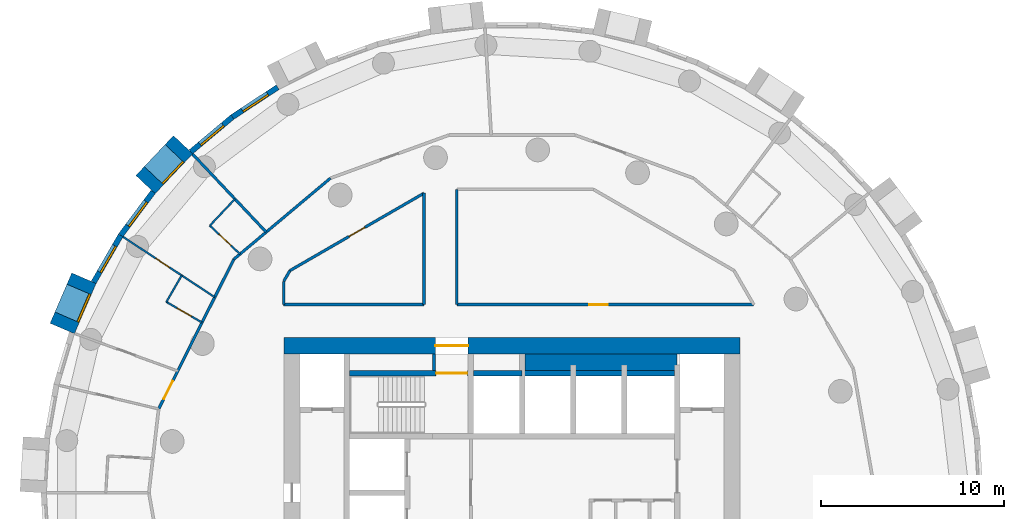
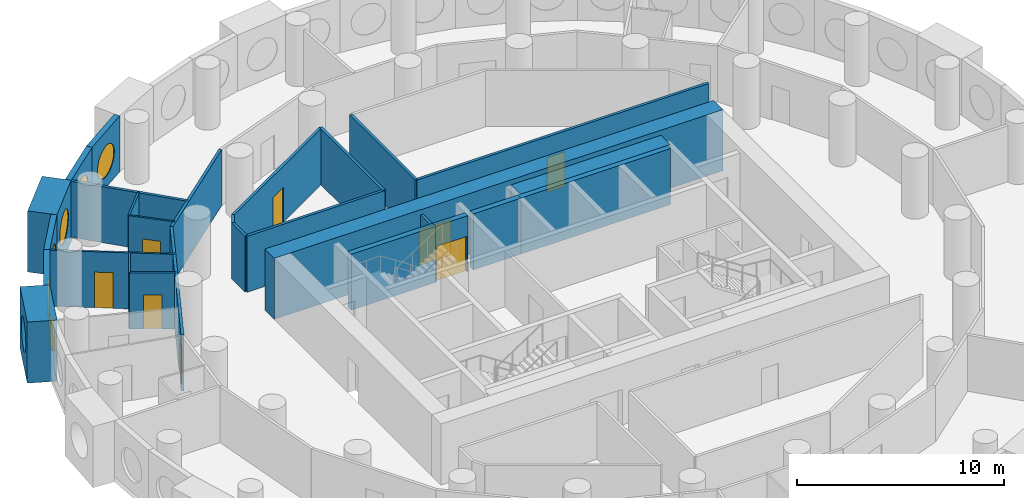
# One storey, part 6 of 9: 29 walls, 8 doors, 6 windows, 14 openings.
"""IFC4 building model written with IfcOpenShell, lengths in metres."""

from ifc_helpers import new_model, si_unit, direction, frame, frame_2d, origin, origin_2d, place, context, subcontext, project, spatial, rectangle, circle, extrude, material, layer, layer_set, type_object, element, fill, save


model = new_model("IFC4")

# Units and contexts
model_context = context("Model", 3, precision=1e-05, world=origin(), true_north=direction((0.0, 1.0)))
body_context = subcontext(model_context, "Body", "Model", "MODEL_VIEW")
ifc_project = project(units=[si_unit("LENGTHUNIT", "METRE"), si_unit("AREAUNIT", "SQUARE_METRE"), si_unit("VOLUMEUNIT", "CUBIC_METRE"), si_unit("PLANEANGLEUNIT", "RADIAN"), si_unit("MASSUNIT", "GRAM", prefix="KILO")], contexts=[model_context])

# Site, building, storey
site_placement = place(None, origin())
site = spatial("IfcSite", under=ifc_project, at=site_placement, CompositionType="ELEMENT")
building_placement = place(site_placement, origin())
building = spatial("IfcBuilding", under=site, at=building_placement, Name="Tracery Tower", CompositionType="ELEMENT")
storey_placement = place(building_placement, frame((0.0, 0.0, 183.60009765625)))
storey = spatial("IfcBuildingStorey", under=building, at=storey_placement, Name="L47", CompositionType="ELEMENT", Elevation=183.60009765625)

# Walls
ifc_material_1 = material(Name="Plasterboard on steel studs", Category="steel")
ifc_layer_1 = layer(ifc_material_1, 0.14990234375)
ifc_layer_set_1 = layer_set([ifc_layer_1], Name="Core room partition 150")
wall_type_1 = type_object("IfcWallType", Name="Core room partition 150", PredefinedType="SOLIDWALL", material=ifc_layer_set_1)
wall_1_placement = place(storey_placement, frame((-4.27490234375, 6.699951171875, 0.0), z_axis=(0.0, 0.0, 1.0), x_axis=(0.0, 1.0, 0.0)))
element("IfcWall", 1, at=wall_1_placement, inside=storey, type_object=wall_type_1, Name="L47 F N room", PredefinedType="SOLIDWALL", context=body_context, shape_type="SweptSolid", body=[
    extrude(rectangle(XDim=0.900146484375, YDim=0.14990234375, at=frame_2d((0.4501953125, 0.0))), origin(), (0.0, 0.0, 1.0), 3.2998046875),
])
ifc_material_2 = material(Name="Concrete C50/60", Category="concrete")
ifc_layer_2 = layer(ifc_material_2, 0.89990234375)
ifc_layer_set_2 = layer_set([ifc_layer_2], Name="Core strip wall 900 C50")
wall_type_2 = type_object("IfcWallType", Name="Core strip wall 900 C50", PredefinedType="SOLIDWALL", material=ifc_layer_set_2)
wall_2_placement = place(storey_placement, frame((0.699951171875, 7.14990234375, 0.0), z_axis=(0.0, 0.0, 1.0), x_axis=(1.0, 0.0, 0.0)))
element("IfcWall", 2, at=wall_2_placement, inside=storey, type_object=wall_type_2, Name="L47 F thick N E", PredefinedType="SOLIDWALL", context=body_context, shape_type="SweptSolid", body=[
    extrude(rectangle(XDim=8.35009765625, YDim=0.89990234375, at=frame_2d((4.175048828125, 0.0))), origin(), (0.0, 0.0, 1.0), 3.2998046875),
])

# Wall, opening, door
ifc_material_3 = material(Name="Concrete C50/60", Category="concrete")
ifc_layer_3 = layer(ifc_material_3, 0.89990234375)
ifc_layer_set_3 = layer_set([ifc_layer_3], Name="Core wall 900 C50")
wall_type_3 = type_object("IfcWallType", Name="Core wall 900 C50", PredefinedType="SOLIDWALL", material=ifc_layer_set_3)
wall_3_placement = place(storey_placement, frame((-12.5, 8.050048828125, 0.0), z_axis=(0.0, 0.0, 1.0), x_axis=(1.0, 0.0, 0.0)))
wall_3 = element("IfcWall", 3, at=wall_3_placement, inside=storey, type_object=wall_type_3, Name="L47 outer N", PredefinedType="SOLIDWALL", context=body_context, shape_type="SweptSolid", body=[
    extrude(rectangle(XDim=25.0, YDim=0.89990234375, at=frame_2d((12.5, 0.0))), origin(), (0.0, 0.0, 1.0), 3.599853515625),
])
opening_1_placement = place(wall_3_placement, frame((8.300048828125, 0.0, 0.0)))
opening_1 = element("IfcOpeningElement", 4, at=opening_1_placement, cuts=wall_3, Name="Opening KD13", PredefinedType="OPENING", context=body_context, shape_type="SweptSolid", body=[
    extrude(rectangle(XDim=1.800048828125, YDim=2.10009765625, at=frame_2d((0.89990234375, 1.050048828125))), frame((0.0, 0.449951171875, 0.0), z_axis=(0.0, -1.0, 0.0), x_axis=(1.0, 0.0, 0.0)), (0.0, 0.0, 1.0), 0.89990234375),
])
ifc_material_4 = material(Name="Steel fire door", Category="steel")
door_type_1 = type_object("IfcDoorType", Name="Core exit door 1800 double", OperationType="NOTDEFINED", PredefinedType="DOOR", material=ifc_material_4)
door_1_placement = place(opening_1_placement, origin())
door_1 = element("IfcDoor", 5, at=door_1_placement, inside=storey, type_object=door_type_1, Name="Core exit door", OperationType="DOUBLE_DOOR_SINGLE_SWING", OverallHeight=2.10009765625, OverallWidth=1.800048828125, PredefinedType="DOOR", context=body_context, shape_type="SweptSolid", body=[
    extrude(rectangle(XDim=1.800048828125, YDim=2.10009765625, at=frame_2d((0.89990234375, 1.050048828125))), frame((0.0, 0.02490234375, 0.0), z_axis=(0.0, -1.0, 0.0), x_axis=(1.0, 0.0, 0.0)), (0.0, 0.0, 1.0), 0.050048828125),
])
fill(opening_1, door_1)

# Wall, opening, window
ifc_material_5 = material(Name="Precast concrete C50/60", Category="concrete")
ifc_layer_4 = layer(ifc_material_5, 1.449951171875)
ifc_layer_set_4 = layer_set([ifc_layer_4], Name="Deep-set bay unit 3000 x 3600, slab edge 300")
wall_type_4 = type_object("IfcWallType", Name="Deep-set bay unit 3000 x 3600, slab edge 300", PredefinedType="ELEMENTEDWALL", material=ifc_layer_set_4)
wall_4_placement = place(storey_placement, frame((-18.0126953125, 19.05615234375, -0.300048828125), z_axis=(0.0, 0.0, 1.0), x_axis=(-0.686217177108, -0.727396718334, 0.0)))
wall_4 = element("IfcWall", 6, at=wall_4_placement, inside=storey, type_object=wall_type_4, Name="Deep-set bay unit 21 at L47", PredefinedType="ELEMENTEDWALL", context=body_context, shape_type="SweptSolid", body=[
    extrude(rectangle(XDim=3.0, YDim=1.449951171875, at=frame_2d((1.5, 0.0))), origin(), (0.0, 0.0, 1.0), 3.599853515625),
])
opening_2_placement = place(wall_4_placement, frame((1.5, 0.0, 1.85009765625)))
opening_2 = element("IfcOpeningElement", 7, at=opening_2_placement, cuts=wall_4, Name="Opening WN1", PredefinedType="OPENING", context=body_context, shape_type="SweptSolid", body=[
    extrude(circle(Radius=0.9000244140625, at=origin_2d()), frame((0.0, 0.73486328125, 0.0), z_axis=(0.0, -1.0, 0.0), x_axis=(1.0, 0.0, 0.0)), (0.0, 0.0, 1.0), 1.469970703125),
])
ifc_material_6 = material(Name="Aluminium frame with tinted double glazing", Category="aluminium")
window_type = type_object("IfcWindowType", Name="Round window 1800", PartitioningType="SINGLE_PANEL", PredefinedType="WINDOW", material=ifc_material_6)
window_1_placement = place(opening_2_placement, origin())
window_1 = element("IfcWindow", 8, at=window_1_placement, inside=storey, type_object=window_type, Name="Round window 21 at L47", OverallHeight=1.800048828125, OverallWidth=1.800048828125, PartitioningType="SINGLE_PANEL", PredefinedType="WINDOW", context=body_context, shape_type="SweptSolid", body=[
    extrude(circle(Radius=0.9000244140625, at=origin_2d()), frame((0.0, 0.69482421875, 0.0), z_axis=(0.0, -1.0, 0.0), x_axis=(1.0, 0.0, 0.0)), (0.0, 0.0, 1.0), 0.10009765625),
])
fill(opening_2, window_1)

wall_5_placement = place(storey_placement, frame((-23.44384765625, 11.746337890625, -0.300048828125), z_axis=(0.0, 0.0, 1.0), x_axis=(-0.396079003245, -0.918216435917, 0.0)))
wall_5 = element("IfcWall", 9, at=wall_5_placement, inside=storey, type_object=wall_type_4, Name="Deep-set bay unit 24 at L47", PredefinedType="ELEMENTEDWALL", context=body_context, shape_type="SweptSolid", body=[
    extrude(rectangle(XDim=3.0, YDim=1.449951171875, at=frame_2d((1.5, 0.0))), origin(), (0.0, 0.0, 1.0), 3.599853515625),
])
opening_3_placement = place(wall_5_placement, frame((1.5, 0.0, 1.85009765625)))
opening_3 = element("IfcOpeningElement", 10, at=opening_3_placement, cuts=wall_5, Name="Opening WN1", PredefinedType="OPENING", context=body_context, shape_type="SweptSolid", body=[
    extrude(circle(Radius=0.9000244140625, at=origin_2d()), frame((0.0, 0.73486328125, 0.0), z_axis=(0.0, -1.0, 0.0), x_axis=(1.0, 0.0, 0.0)), (0.0, 0.0, 1.0), 1.469970703125),
])
window_2_placement = place(opening_3_placement, origin())
window_2 = element("IfcWindow", 11, at=window_2_placement, inside=storey, type_object=window_type, Name="Round window 24 at L47", OverallHeight=1.800048828125, OverallWidth=1.800048828125, PartitioningType="SINGLE_PANEL", PredefinedType="WINDOW", context=body_context, shape_type="SweptSolid", body=[
    extrude(circle(Radius=0.9000244140625, at=origin_2d()), frame((0.0, 0.69482421875, 0.0), z_axis=(0.0, -1.0, 0.0), x_axis=(1.0, 0.0, 0.0)), (0.0, 0.0, 1.0), 0.10009765625),
])
fill(opening_3, window_2)

ifc_material_7 = material(Name="Precast concrete C50/60", Category="concrete")
ifc_layer_5 = layer(ifc_material_7, 0.300048828125)
ifc_layer_set_5 = layer_set([ifc_layer_5], Name="Facade panel 3000 x 3300")
wall_type_5 = type_object("IfcWallType", Name="Facade panel 3000 x 3300", PredefinedType="SOLIDWALL", material=ifc_layer_set_5)
wall_6_placement = place(storey_placement, frame((-12.831787109375, 22.2060546875, 0.0), z_axis=(0.0, 0.0, 1.0), x_axis=(-0.835508361394, -0.54947773207, 0.0)))
wall_6 = element("IfcWall", 12, at=wall_6_placement, inside=storey, type_object=wall_type_5, Name="Facade panel 19 at L47", PredefinedType="SOLIDWALL", context=body_context, shape_type="SweptSolid", body=[
    extrude(rectangle(XDim=2.972900390625, YDim=0.300048828125, at=frame_2d((1.486328125, 0.0))), origin(), (0.0, 0.0, 1.0), 3.2998046875),
])
opening_4_placement = place(wall_6_placement, frame((1.486328125, 0.0, 1.5498046875)))
opening_4 = element("IfcOpeningElement", 13, at=opening_4_placement, cuts=wall_6, Name="Opening WN1", PredefinedType="OPENING", context=body_context, shape_type="SweptSolid", body=[
    extrude(circle(Radius=0.9000244140625, at=origin_2d()), frame((0.0, 0.159912109375, 0.0), z_axis=(0.0, -1.0, 0.0), x_axis=(1.0, 0.0, 0.0)), (0.0, 0.0, 1.0), 0.320068359375),
])
window_3_placement = place(opening_4_placement, origin())
window_3 = element("IfcWindow", 14, at=window_3_placement, inside=storey, type_object=window_type, Name="Round window 19 at L47", OverallHeight=1.800048828125, OverallWidth=1.800048828125, PartitioningType="SINGLE_PANEL", PredefinedType="WINDOW", context=body_context, shape_type="SweptSolid", body=[
    extrude(circle(Radius=0.9000244140625, at=origin_2d()), frame((0.0, 0.1201171875, 0.0), z_axis=(0.0, -1.0, 0.0), x_axis=(1.0, 0.0, 0.0)), (0.0, 0.0, 1.0), 0.10009765625),
])
fill(opening_4, window_3)

wall_7_placement = place(storey_placement, frame((-15.315673828125, 20.572509765625, 0.0), z_axis=(0.0, 0.0, 1.0), x_axis=(-0.766008913364, -0.642829950023, 0.0)))
wall_7 = element("IfcWall", 15, at=wall_7_placement, inside=storey, type_object=wall_type_5, Name="Facade panel 20 at L47", PredefinedType="SOLIDWALL", context=body_context, shape_type="SweptSolid", body=[
    extrude(rectangle(XDim=2.972900390625, YDim=0.300048828125, at=frame_2d((1.486328125, 0.0))), origin(), (0.0, 0.0, 1.0), 3.2998046875),
])
opening_5_placement = place(wall_7_placement, frame((1.486328125, 0.0, 1.5498046875)))
opening_5 = element("IfcOpeningElement", 16, at=opening_5_placement, cuts=wall_7, Name="Opening WN1", PredefinedType="OPENING", context=body_context, shape_type="SweptSolid", body=[
    extrude(circle(Radius=0.9000244140625, at=origin_2d()), frame((0.0, 0.159912109375, 0.0), z_axis=(0.0, -1.0, 0.0), x_axis=(1.0, 0.0, 0.0)), (0.0, 0.0, 1.0), 0.320068359375),
])
window_4_placement = place(opening_5_placement, origin())
window_4 = element("IfcWindow", 17, at=window_4_placement, inside=storey, type_object=window_type, Name="Round window 20 at L47", OverallHeight=1.800048828125, OverallWidth=1.800048828125, PartitioningType="SINGLE_PANEL", PredefinedType="WINDOW", context=body_context, shape_type="SweptSolid", body=[
    extrude(circle(Radius=0.9000244140625, at=origin_2d()), frame((0.0, 0.1201171875, 0.0), z_axis=(0.0, -1.0, 0.0), x_axis=(1.0, 0.0, 0.0)), (0.0, 0.0, 1.0), 0.10009765625),
])
fill(opening_5, window_4)

wall_8_placement = place(storey_placement, frame((-19.65283203125, 16.47802734375, 0.0), z_axis=(0.0, 0.0, 1.0), x_axis=(-0.597197580538, -0.80209416517, 0.0)))
wall_8 = element("IfcWall", 18, at=wall_8_placement, inside=storey, type_object=wall_type_5, Name="Facade panel 22 at L47", PredefinedType="SOLIDWALL", context=body_context, shape_type="SweptSolid", body=[
    extrude(rectangle(XDim=2.972900390625, YDim=0.300048828125, at=frame_2d((1.486328125, 0.0))), origin(), (0.0, 0.0, 1.0), 3.2998046875),
])
opening_6_placement = place(wall_8_placement, frame((1.486328125, 0.0, 1.5498046875)))
opening_6 = element("IfcOpeningElement", 19, at=opening_6_placement, cuts=wall_8, Name="Opening WN1", PredefinedType="OPENING", context=body_context, shape_type="SweptSolid", body=[
    extrude(circle(Radius=0.9000244140625, at=origin_2d()), frame((0.0, 0.159912109375, 0.0), z_axis=(0.0, -1.0, 0.0), x_axis=(1.0, 0.0, 0.0)), (0.0, 0.0, 1.0), 0.320068359375),
])
window_5_placement = place(opening_6_placement, origin())
window_5 = element("IfcWindow", 20, at=window_5_placement, inside=storey, type_object=window_type, Name="Round window 22 at L47", OverallHeight=1.800048828125, OverallWidth=1.800048828125, PartitioningType="SINGLE_PANEL", PredefinedType="WINDOW", context=body_context, shape_type="SweptSolid", body=[
    extrude(circle(Radius=0.9000244140625, at=origin_2d()), frame((0.0, 0.1201171875, 0.0), z_axis=(0.0, -1.0, 0.0), x_axis=(1.0, 0.0, 0.0)), (0.0, 0.0, 1.0), 0.10009765625),
])
fill(opening_6, window_5)

wall_9_placement = place(storey_placement, frame((-21.42822265625, 14.093505859375, 0.0), z_axis=(0.0, 0.0, 1.0), x_axis=(-0.499954672104, -0.866051572276, 0.0)))
wall_9 = element("IfcWall", 21, at=wall_9_placement, inside=storey, type_object=wall_type_5, Name="Facade panel 23 at L47", PredefinedType="SOLIDWALL", context=body_context, shape_type="SweptSolid", body=[
    extrude(rectangle(XDim=2.972900390625, YDim=0.300048828125, at=frame_2d((1.486328125, 0.0))), origin(), (0.0, 0.0, 1.0), 3.2998046875),
])
opening_7_placement = place(wall_9_placement, frame((1.486328125, 0.0, 1.5498046875)))
opening_7 = element("IfcOpeningElement", 22, at=opening_7_placement, cuts=wall_9, Name="Opening WN1", PredefinedType="OPENING", context=body_context, shape_type="SweptSolid", body=[
    extrude(circle(Radius=0.9000244140625, at=origin_2d()), frame((0.0, 0.159912109375, 0.0), z_axis=(0.0, -1.0, 0.0), x_axis=(1.0, 0.0, 0.0)), (0.0, 0.0, 1.0), 0.320068359375),
])
window_6_placement = place(opening_7_placement, origin())
window_6 = element("IfcWindow", 23, at=window_6_placement, inside=storey, type_object=window_type, Name="Round window 23 at L47", OverallHeight=1.800048828125, OverallWidth=1.800048828125, PartitioningType="SINGLE_PANEL", PredefinedType="WINDOW", context=body_context, shape_type="SweptSolid", body=[
    extrude(circle(Radius=0.9000244140625, at=origin_2d()), frame((0.0, 0.1201171875, 0.0), z_axis=(0.0, -1.0, 0.0), x_axis=(1.0, 0.0, 0.0)), (0.0, 0.0, 1.0), 0.10009765625),
])
fill(opening_7, window_6)

# Wall, opening, door
ifc_material_8 = material(Name="Plasterboard on steel studs", Category="steel")
ifc_layer_6 = layer(ifc_material_8, 0.10009765625)
ifc_layer_set_6 = layer_set([ifc_layer_6], Name="Partition 100 stud")
wall_type_6 = type_object("IfcWallType", Name="Partition 100 stud", PredefinedType="PARTITIONING", material=ifc_layer_set_6)
wall_10_placement = place(storey_placement, frame((-21.302978515625, 14.010986328125, 0.0), z_axis=(0.0, 0.0, 1.0), x_axis=(0.835501457061, -0.549488230309, 0.0)))
wall_10 = element("IfcWall", 24, at=wall_10_placement, inside=storey, type_object=wall_type_6, Name="Stud partition RB6-049", PredefinedType="PARTITIONING", context=body_context, shape_type="SweptSolid", body=[
    extrude(rectangle(XDim=3.845458984375, YDim=0.10009765625, at=frame_2d((1.9228515625, 0.0))), origin(), (0.0, 0.0, 1.0), 3.2998046875),
])
opening_8_placement = place(wall_10_placement, frame((2.14990234375, 0.0, 0.0)))
opening_8 = element("IfcOpeningElement", 25, at=opening_8_placement, cuts=wall_10, Name="Opening RB6-13", PredefinedType="OPENING", context=body_context, shape_type="SweptSolid", body=[
    extrude(rectangle(XDim=0.89990234375, YDim=2.10009765625, at=frame_2d((0.449951171875, 1.050048828125))), frame((0.0, 0.050048828125, 0.0), z_axis=(0.0, -1.0, 0.0), x_axis=(1.0, 0.0, 0.0)), (0.0, 0.0, 1.0), 0.10009765625),
])
ifc_material_9 = material(Name="Timber door leaf", Category="wood")
door_type_2 = type_object("IfcDoorType", Name="Door bedroom 900", OperationType="NOTDEFINED", PredefinedType="DOOR", material=ifc_material_9)
door_2_placement = place(opening_8_placement, origin())
door_2 = element("IfcDoor", 26, at=door_2_placement, inside=storey, type_object=door_type_2, Name="Bedroom door RB6-13", OperationType="SINGLE_SWING_RIGHT", OverallHeight=2.10009765625, OverallWidth=0.89990234375, PredefinedType="DOOR", context=body_context, shape_type="SweptSolid", body=[
    extrude(rectangle(XDim=0.89990234375, YDim=2.10009765625, at=frame_2d((0.449951171875, 1.050048828125))), frame((0.0, 0.02490234375, 0.0), z_axis=(0.0, -1.0, 0.0), x_axis=(1.0, 0.0, 0.0)), (0.0, 0.0, 1.0), 0.050048828125),
])
fill(opening_8, door_2)

# Wall
ifc_material_10 = material(Name="Plasterboard on steel studs", Category="steel")
ifc_layer_7 = layer(ifc_material_10, 0.10009765625)
ifc_layer_set_7 = layer_set([ifc_layer_7], Name="Partition 100 wet wall")
wall_type_7 = type_object("IfcWallType", Name="Partition 100 wet wall", PredefinedType="PARTITIONING", material=ifc_layer_set_7)
wall_11_placement = place(storey_placement, frame((-18.927978515625, 10.446044921875, 0.0), z_axis=(0.0, 0.0, 1.0), x_axis=(0.499835922194, 0.866120113428, 0.0)))
element("IfcWall", 27, at=wall_11_placement, inside=storey, type_object=wall_type_7, Name="Wet wall RB6-047", PredefinedType="PARTITIONING", context=body_context, shape_type="SweptSolid", body=[
    extrude(rectangle(XDim=1.67626953125, YDim=0.10009765625, at=frame_2d((0.838134765625, 0.0))), origin(), (0.0, 0.0, 1.0), 3.2998046875),
])

# Wall, opening, door
wall_12_placement = place(storey_placement, frame((-18.927978515625, 10.446044921875, 0.0), z_axis=(0.0, 0.0, 1.0), x_axis=(0.865942177038, -0.500144125255, 0.0)))
wall_12 = element("IfcWall", 28, at=wall_12_placement, inside=storey, type_object=wall_type_7, Name="Wet wall RB6-048", PredefinedType="PARTITIONING", context=body_context, shape_type="SweptSolid", body=[
    extrude(rectangle(XDim=2.255126953125, YDim=0.10009765625, at=frame_2d((1.12744140625, 0.0))), origin(), (0.0, 0.0, 1.0), 3.2998046875),
])
opening_9_placement = place(wall_12_placement, frame((0.677978515625, 0.0, 0.0)))
opening_9 = element("IfcOpeningElement", 29, at=opening_9_placement, cuts=wall_12, Name="Opening RB6-12", PredefinedType="OPENING", context=body_context, shape_type="SweptSolid", body=[
    extrude(rectangle(XDim=0.89990234375, YDim=2.0, at=frame_2d((0.449951171875, 1.0))), frame((0.0, 0.050048828125, 0.0), z_axis=(0.0, -1.0, 0.0), x_axis=(1.0, 0.0, 0.0)), (0.0, 0.0, 1.0), 0.10009765625),
])
ifc_material_11 = material(Name="Timber door leaf", Category="wood")
door_type_3 = type_object("IfcDoorType", Name="Door shower room 900", OperationType="NOTDEFINED", PredefinedType="DOOR", material=ifc_material_11)
door_3_placement = place(opening_9_placement, origin())
door_3 = element("IfcDoor", 30, at=door_3_placement, inside=storey, type_object=door_type_3, Name="Shower room door RB6-12", OperationType="SINGLE_SWING_RIGHT", OverallHeight=2.0, OverallWidth=0.89990234375, PredefinedType="DOOR", context=body_context, shape_type="SweptSolid", body=[
    extrude(rectangle(XDim=0.89990234375, YDim=2.0, at=frame_2d((0.449951171875, 1.0))), frame((0.0, 0.02490234375, 0.0), z_axis=(0.0, -1.0, 0.0), x_axis=(1.0, 0.0, 0.0)), (0.0, 0.0, 1.0), 0.050048828125),
])
fill(opening_9, door_3)

# Walls
wall_13_placement = place(storey_placement, frame((-18.090087890625, 11.89794921875, 0.0), z_axis=(0.0, 0.0, 1.0), x_axis=(0.835463324296, -0.549546207116, 0.0)))
element("IfcWall", 31, at=wall_13_placement, inside=storey, type_object=wall_type_7, Name="Wet wall RB6-051", PredefinedType="PARTITIONING", context=body_context, shape_type="SweptSolid", body=[
    extrude(rectangle(XDim=2.1689453125, YDim=0.10009765625, at=frame_2d((1.08447265625, 0.0))), origin(), (0.0, 0.0, 1.0), 3.2998046875),
])
wall_14_placement = place(storey_placement, frame((-16.549072265625, 14.6259765625, 0.0), z_axis=(0.0, 0.0, 1.0), x_axis=(0.686337209023, 0.727283462971, 0.0)))
element("IfcWall", 32, at=wall_14_placement, inside=storey, type_object=wall_type_7, Name="Wet wall RB6-052", PredefinedType="PARTITIONING", context=body_context, shape_type="SweptSolid", body=[
    extrude(rectangle(XDim=2.00341796875, YDim=0.10009765625, at=frame_2d((1.001708984375, 0.0))), origin(), (0.0, 0.0, 1.0), 3.2998046875),
])

# Wall, opening, door
wall_15_placement = place(storey_placement, frame((-16.549072265625, 14.6259765625, 0.0), z_axis=(0.0, 0.0, 1.0), x_axis=(0.727754926423, -0.68583727448, 0.0)))
wall_15 = element("IfcWall", 33, at=wall_15_placement, inside=storey, type_object=wall_type_7, Name="Wet wall RB6-053", PredefinedType="PARTITIONING", context=body_context, shape_type="SweptSolid", body=[
    extrude(rectangle(XDim=2.271484375, YDim=0.10009765625, at=frame_2d((1.1357421875, 0.0))), origin(), (0.0, 0.0, 1.0), 3.2998046875),
])
opening_10_placement = place(wall_15_placement, frame((0.68603515625, 0.0, 0.0)))
opening_10 = element("IfcOpeningElement", 34, at=opening_10_placement, cuts=wall_15, Name="Opening RB6-14", PredefinedType="OPENING", context=body_context, shape_type="SweptSolid", body=[
    extrude(rectangle(XDim=0.89990234375, YDim=2.0400390625, at=frame_2d((0.449951171875, 1.02001953125))), frame((0.0, 0.050048828125, 0.0), z_axis=(0.0, -1.0, 0.0), x_axis=(1.0, 0.0, 0.0)), (0.0, 0.0, 1.0), 0.10009765625),
])
ifc_material_12 = material(Name="Timber door leaf", Category="wood")
door_type_4 = type_object("IfcDoorType", Name="Door en-suite 900", OperationType="NOTDEFINED", PredefinedType="DOOR", material=ifc_material_12)
door_4_placement = place(opening_10_placement, origin())
door_4 = element("IfcDoor", 35, at=door_4_placement, inside=storey, type_object=door_type_4, Name="En-suite door RB6-14", OperationType="SINGLE_SWING_RIGHT", OverallHeight=2.0400390625, OverallWidth=0.89990234375, PredefinedType="DOOR", context=body_context, shape_type="SweptSolid", body=[
    extrude(rectangle(XDim=0.89990234375, YDim=2.0400390625, at=frame_2d((0.449951171875, 1.02001953125))), frame((0.0, 0.02490234375, 0.0), z_axis=(0.0, -1.0, 0.0), x_axis=(1.0, 0.0, 0.0)), (0.0, 0.0, 1.0), 0.050048828125),
])
fill(opening_10, door_4)

# Walls
ifc_material_13 = material(Name="Plasterboard on steel studs", Category="steel")
ifc_layer_8 = layer(ifc_material_13, 0.14990234375)
ifc_layer_set_8 = layer_set([ifc_layer_8], Name="Partition 150 acoustic unit wall")
wall_type_8 = type_object("IfcWallType", Name="Partition 150 acoustic unit wall", PredefinedType="PARTITIONING", material=ifc_layer_set_8)
wall_16_placement = place(storey_placement, frame((-17.4970703125, 18.5458984375, 0.0), z_axis=(0.0, 0.0, 1.0), x_axis=(0.68633567779, -0.727284907991, 0.0)))
element("IfcWall", 36, at=wall_16_placement, inside=storey, type_object=wall_type_8, Name="Unit wall RB6-045", PredefinedType="PARTITIONING", context=body_context, shape_type="SweptSolid", body=[
    extrude(rectangle(XDim=5.878662109375, YDim=0.14990234375, at=frame_2d((2.939453125, 0.0))), origin(), (0.0, 0.0, 1.0), 3.2998046875),
])
ifc_material_14 = material(Name="Plasterboard on steel studs", Category="steel")
ifc_layer_9 = layer(ifc_material_14, 0.14990234375)
ifc_layer_set_9 = layer_set([ifc_layer_9], Name="Partition 150 corridor wall")
wall_type_9 = type_object("IfcWallType", Name="Partition 150 corridor wall", PredefinedType="PARTITIONING", material=ifc_layer_set_9)
wall_17_placement = place(storey_placement, frame((-12.50390625, 10.300048828125, 0.0), z_axis=(0.0, 0.0, 1.0), x_axis=(1.0, 0.0, 0.0)))
element("IfcWall", 37, at=wall_17_placement, inside=storey, type_object=wall_type_9, Name="Corridor wall RB6-001", PredefinedType="PARTITIONING", context=body_context, shape_type="SweptSolid", body=[
    extrude(rectangle(XDim=7.68701171875, YDim=0.14990234375, at=frame_2d((3.843505859375, 0.0))), origin(), (0.0, 0.0, 1.0), 3.2998046875),
])

# Wall, opening, door
wall_18_placement = place(storey_placement, frame((-3.02490234375, 10.300048828125, 0.0), z_axis=(0.0, 0.0, 1.0), x_axis=(1.0, 0.0, 0.0)))
wall_18 = element("IfcWall", 38, at=wall_18_placement, inside=storey, type_object=wall_type_9, Name="Corridor wall RB6-002", PredefinedType="PARTITIONING", context=body_context, shape_type="SweptSolid", body=[
    extrude(rectangle(XDim=16.261962890625, YDim=0.14990234375, at=frame_2d((8.130859375, 0.0))), origin(), (0.0, 0.0, 1.0), 3.2998046875),
])
opening_11_placement = place(wall_18_placement, frame((7.262939453125, 0.0, 0.0)))
opening_11 = element("IfcOpeningElement", 39, at=opening_11_placement, cuts=wall_18, Name="Opening RB6-02", PredefinedType="OPENING", context=body_context, shape_type="SweptSolid", body=[
    extrude(rectangle(XDim=1.0, YDim=2.0400390625, at=frame_2d((0.5, 1.02001953125))), frame((0.0, 0.074951171875, 0.0), z_axis=(0.0, -1.0, 0.0), x_axis=(1.0, 0.0, 0.0)), (0.0, 0.0, 1.0), 0.14990234375),
])
ifc_material_15 = material(Name="Timber door leaf", Category="wood")
door_type_5 = type_object("IfcDoorType", Name="Door communal room 1000", OperationType="NOTDEFINED", PredefinedType="DOOR", material=ifc_material_15)
door_5_placement = place(opening_11_placement, origin())
door_5 = element("IfcDoor", 40, at=door_5_placement, inside=storey, type_object=door_type_5, Name="Communal room door RB6-02", OperationType="SINGLE_SWING_RIGHT", OverallHeight=2.0400390625, OverallWidth=1.0, PredefinedType="DOOR", context=body_context, shape_type="SweptSolid", body=[
    extrude(rectangle(XDim=1.0, YDim=2.0400390625, at=frame_2d((0.5, 1.02001953125))), frame((0.0, 0.02490234375, 0.0), z_axis=(0.0, -1.0, 0.0), x_axis=(1.0, 0.0, 0.0)), (0.0, 0.0, 1.0), 0.050048828125),
])
fill(opening_11, door_5)

# Wall
wall_19_placement = place(storey_placement, frame((-4.821044921875, 10.300048828125, 0.0), z_axis=(0.0, 0.0, 1.0), x_axis=(0.0, 1.0, 0.0)))
element("IfcWall", 41, at=wall_19_placement, inside=storey, type_object=wall_type_9, Name="Corridor wall RB6-013", PredefinedType="PARTITIONING", context=body_context, shape_type="SweptSolid", body=[
    extrude(rectangle(XDim=6.100830078125, YDim=0.14990234375, at=frame_2d((3.05029296875, 0.0))), origin(), (0.0, 0.0, 1.0), 3.2998046875),
])

# Wall, opening, door
wall_20_placement = place(storey_placement, frame((-12.162109375, 12.162109375, 0.0), z_axis=(0.0, 0.0, 1.0), x_axis=(0.866004766557, 0.500035743023, 0.0)))
wall_20 = element("IfcWall", 42, at=wall_20_placement, inside=storey, type_object=wall_type_9, Name="Corridor wall RB6-014", PredefinedType="PARTITIONING", context=body_context, shape_type="SweptSolid", body=[
    extrude(rectangle(XDim=8.47705078125, YDim=0.14990234375, at=frame_2d((4.238525390625, 0.0))), origin(), (0.0, 0.0, 1.0), 3.2998046875),
])
opening_12_placement = place(wall_20_placement, frame((3.739013671875, 0.0, 0.0)))
opening_12 = element("IfcOpeningElement", 43, at=opening_12_placement, cuts=wall_20, Name="Opening RB6-01", PredefinedType="OPENING", context=body_context, shape_type="SweptSolid", body=[
    extrude(rectangle(XDim=1.0, YDim=2.0400390625, at=frame_2d((0.5, 1.02001953125))), frame((0.0, 0.074951171875, 0.0), z_axis=(0.0, -1.0, 0.0), x_axis=(1.0, 0.0, 0.0)), (0.0, 0.0, 1.0), 0.14990234375),
])
door_6_placement = place(opening_12_placement, origin())
door_6 = element("IfcDoor", 44, at=door_6_placement, inside=storey, type_object=door_type_5, Name="Communal room door RB6-01", OperationType="SINGLE_SWING_LEFT", OverallHeight=2.0400390625, OverallWidth=1.0, PredefinedType="DOOR", context=body_context, shape_type="SweptSolid", body=[
    extrude(rectangle(XDim=1.0, YDim=2.0400390625, at=frame_2d((0.5, 1.02001953125))), frame((0.0, 0.02490234375, 0.0), z_axis=(0.0, -1.0, 0.0), x_axis=(1.0, 0.0, 0.0)), (0.0, 0.0, 1.0), 0.050048828125),
])
fill(opening_12, door_6)

# Walls
wall_21_placement = place(storey_placement, frame((-3.02099609375, 10.300048828125, 0.0), z_axis=(0.0, 0.0, 1.0), x_axis=(0.0, 1.0, 0.0)))
element("IfcWall", 45, at=wall_21_placement, inside=storey, type_object=wall_type_9, Name="Corridor wall RB6-017", PredefinedType="PARTITIONING", context=body_context, shape_type="SweptSolid", body=[
    extrude(rectangle(XDim=6.31396484375, YDim=0.14990234375, at=frame_2d((3.156982421875, 0.0))), origin(), (0.0, 0.0, 1.0), 3.2998046875),
])
wall_22_placement = place(storey_placement, frame((-15.234130859375, 12.782958984375, 0.0), z_axis=(0.0, 0.0, 1.0), x_axis=(0.765968036922, 0.642878656058, 0.0)))
element("IfcWall", 46, at=wall_22_placement, inside=storey, type_object=wall_type_9, Name="Corridor wall RB6-020", PredefinedType="PARTITIONING", context=body_context, shape_type="SweptSolid", body=[
    extrude(rectangle(XDim=6.90625, YDim=0.14990234375, at=frame_2d((3.453125, 0.0))), origin(), (0.0, 0.0, 1.0), 3.2998046875),
])
wall_23_placement = place(storey_placement, frame((-12.5, 11.576904296875, 0.0), z_axis=(0.0, 0.0, 1.0), x_axis=(0.500024767483, 0.866011103799, 0.0)))
element("IfcWall", 47, at=wall_23_placement, inside=storey, type_object=wall_type_9, Name="Corridor wall RB6-022", PredefinedType="PARTITIONING", context=body_context, shape_type="SweptSolid", body=[
    extrude(rectangle(XDim=0.67578125, YDim=0.14990234375, at=frame_2d((0.337890625, 0.0))), origin(), (0.0, 0.0, 1.0), 3.2998046875),
])
wall_24_placement = place(storey_placement, frame((-12.5, 10.300048828125, 0.0), z_axis=(0.0, 0.0, 1.0), x_axis=(0.0, 1.0, 0.0)))
element("IfcWall", 48, at=wall_24_placement, inside=storey, type_object=wall_type_9, Name="Corridor wall RB6-023", PredefinedType="PARTITIONING", context=body_context, shape_type="SweptSolid", body=[
    extrude(rectangle(XDim=1.27685546875, YDim=0.14990234375, at=frame_2d((0.638427734375, 0.0))), origin(), (0.0, 0.0, 1.0), 3.2998046875),
])

# Wall, opening, door
wall_25_placement = place(storey_placement, frame((-19.351318359375, 4.585693359375, 0.0), z_axis=(0.0, 0.0, 1.0), x_axis=(0.44867140262, 0.893696801198, 0.0)))
wall_25 = element("IfcWall", 49, at=wall_25_placement, inside=storey, type_object=wall_type_9, Name="Corridor wall RB6-026", PredefinedType="PARTITIONING", context=body_context, shape_type="SweptSolid", body=[
    extrude(rectangle(XDim=9.173583984375, YDim=0.14990234375, at=frame_2d((4.5869140625, 0.0))), origin(), (0.0, 0.0, 1.0), 3.2998046875),
])
opening_13_placement = place(wall_25_placement, frame((0.614990234375, 0.0, 0.0)))
opening_13 = element("IfcOpeningElement", 50, at=opening_13_placement, cuts=wall_25, Name="Opening RB6-10", PredefinedType="OPENING", context=body_context, shape_type="SweptSolid", body=[
    extrude(rectangle(XDim=1.10009765625, YDim=2.10009765625, at=frame_2d((0.550048828125, 1.050048828125))), frame((0.0, 0.074951171875, 0.0), z_axis=(0.0, -1.0, 0.0), x_axis=(1.0, 0.0, 0.0)), (0.0, 0.0, 1.0), 0.14990234375),
])
ifc_material_16 = material(Name="Timber door leaf", Category="wood")
door_type_6 = type_object("IfcDoorType", Name="Door cluster entrance 1100", OperationType="NOTDEFINED", PredefinedType="DOOR", material=ifc_material_16)
door_7_placement = place(opening_13_placement, origin())
door_7 = element("IfcDoor", 51, at=door_7_placement, inside=storey, type_object=door_type_6, Name="Cluster entrance door RB6-10", OperationType="SINGLE_SWING_RIGHT", OverallHeight=2.10009765625, OverallWidth=1.10009765625, PredefinedType="DOOR", context=body_context, shape_type="SweptSolid", body=[
    extrude(rectangle(XDim=1.10009765625, YDim=2.10009765625, at=frame_2d((0.550048828125, 1.050048828125))), frame((0.0, 0.02490234375, 0.0), z_axis=(0.0, -1.0, 0.0), x_axis=(1.0, 0.0, 0.0)), (0.0, 0.0, 1.0), 0.050048828125),
])
fill(opening_13, door_7)

# Wall
ifc_material_17 = material(Name="Concrete C50/60", Category="concrete")
ifc_layer_10 = layer(ifc_material_17, 0.300048828125)
ifc_layer_set_10 = layer_set([ifc_layer_10], Name="Stair wall 300 C50")
wall_type_10 = type_object("IfcWallType", Name="Stair wall 300 C50", PredefinedType="SOLIDWALL", material=ifc_layer_set_10)
wall_26_placement = place(storey_placement, frame((-8.89990234375, 6.550048828125, 0.0), z_axis=(0.0, 0.0, 1.0), x_axis=(1.0, 0.0, 0.0)))
element("IfcWall", 52, at=wall_26_placement, inside=storey, type_object=wall_type_10, Name="L47 F N W", PredefinedType="SOLIDWALL", context=body_context, shape_type="SweptSolid", body=[
    extrude(rectangle(XDim=4.699951171875, YDim=0.300048828125, at=frame_2d((2.35009765625, 0.0))), origin(), (0.0, 0.0, 1.0), 3.2998046875),
])

# Wall, opening, door
wall_27_placement = place(storey_placement, frame((-4.199951171875, 6.550048828125, 0.0), z_axis=(0.0, 0.0, 1.0), x_axis=(1.0, 0.0, 0.0)))
wall_27 = element("IfcWall", 53, at=wall_27_placement, inside=storey, type_object=wall_type_10, Name="L47 F stair N", PredefinedType="SOLIDWALL", context=body_context, shape_type="SweptSolid", body=[
    extrude(rectangle(XDim=1.800048828125, YDim=0.300048828125, at=frame_2d((0.89990234375, 0.0))), origin(), (0.0, 0.0, 1.0), 3.2998046875),
])
opening_14_placement = place(wall_27_placement, frame((0.050048828125, 0.0, 0.0)))
opening_14 = element("IfcOpeningElement", 54, at=opening_14_placement, cuts=wall_27, Name="Opening KD3", PredefinedType="OPENING", context=body_context, shape_type="SweptSolid", body=[
    extrude(rectangle(XDim=1.699951171875, YDim=2.10009765625, at=frame_2d((0.85009765625, 1.050048828125))), frame((0.0, 0.14990234375, 0.0), z_axis=(0.0, -1.0, 0.0), x_axis=(1.0, 0.0, 0.0)), (0.0, 0.0, 1.0), 0.300048828125),
])
ifc_material_18 = material(Name="Steel fire door", Category="steel")
door_type_7 = type_object("IfcDoorType", Name="Core stair door 1700 double", OperationType="NOTDEFINED", PredefinedType="DOOR", material=ifc_material_18)
door_8_placement = place(opening_14_placement, origin())
door_8 = element("IfcDoor", 55, at=door_8_placement, inside=storey, type_object=door_type_7, Name="Stair door vest", OperationType="DOUBLE_DOOR_SINGLE_SWING", OverallHeight=2.10009765625, OverallWidth=1.699951171875, PredefinedType="DOOR", context=body_context, shape_type="SweptSolid", body=[
    extrude(rectangle(XDim=1.699951171875, YDim=2.10009765625, at=frame_2d((0.85009765625, 1.050048828125))), frame((0.0, 0.02490234375, 0.0), z_axis=(0.0, -1.0, 0.0), x_axis=(1.0, 0.0, 0.0)), (0.0, 0.0, 1.0), 0.050048828125),
])
fill(opening_14, door_8)

# Walls
wall_28_placement = place(storey_placement, frame((-2.10009765625, 6.550048828125, 0.0), z_axis=(0.0, 0.0, 1.0), x_axis=(1.0, 0.0, 0.0)))
element("IfcWall", 56, at=wall_28_placement, inside=storey, type_object=wall_type_10, Name="L47 F N E1", PredefinedType="SOLIDWALL", context=body_context, shape_type="SweptSolid", body=[
    extrude(rectangle(XDim=2.650146484375, YDim=0.300048828125, at=frame_2d((1.3251953125, 0.0))), origin(), (0.0, 0.0, 1.0), 3.2998046875),
])
wall_29_placement = place(storey_placement, frame((0.550048828125, 6.550048828125, 0.0), z_axis=(0.0, 0.0, 1.0), x_axis=(1.0, 0.0, 0.0)))
element("IfcWall", 57, at=wall_29_placement, inside=storey, type_object=wall_type_10, Name="L47 F stair strip N E", PredefinedType="SOLIDWALL", context=body_context, shape_type="SweptSolid", body=[
    extrude(rectangle(XDim=8.349853515625, YDim=0.300048828125, at=frame_2d((4.1748046875, 0.0))), origin(), (0.0, 0.0, 1.0), 3.2998046875),
])

save(model, "model.ifc")
